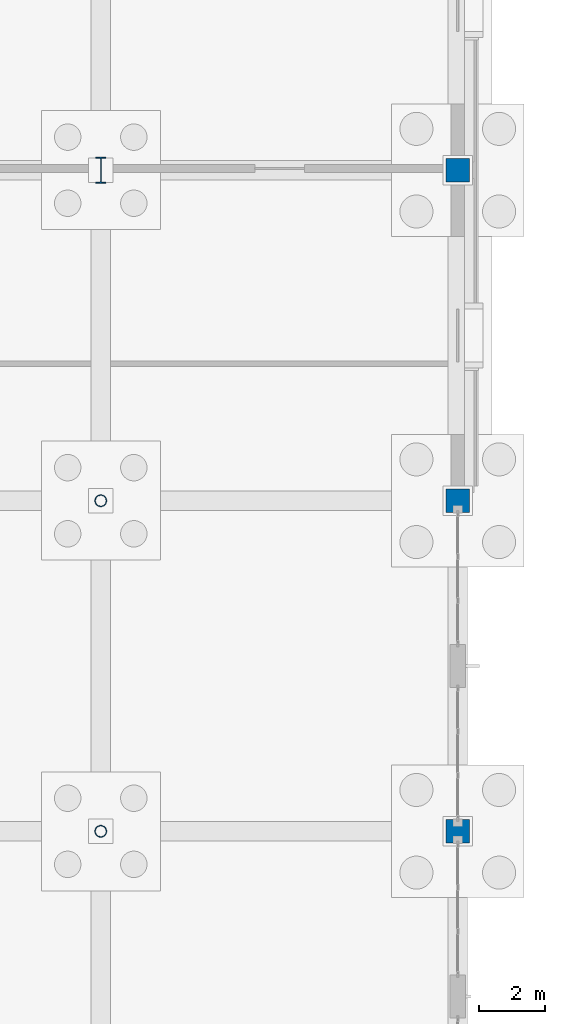
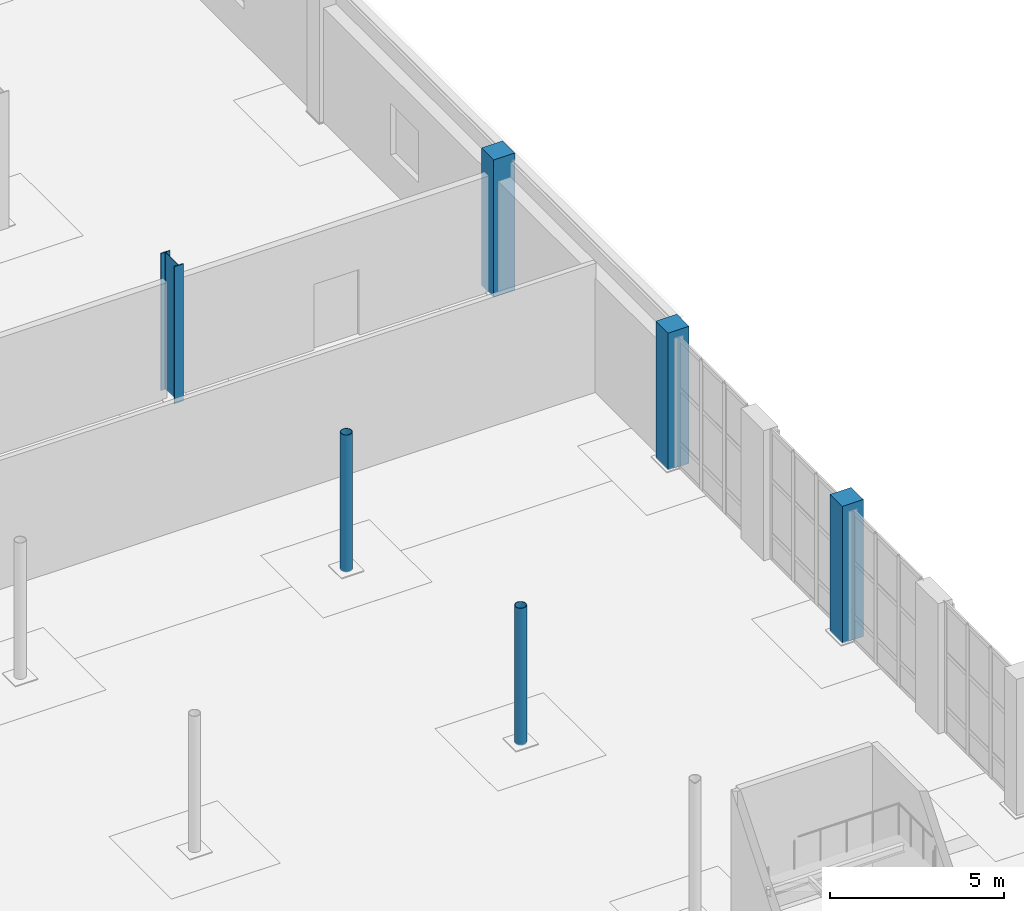
# One storey, part 19 of 73: 6 columns.
"""IFC4 building model written with IfcOpenShell, lengths in metres."""

from ifc_helpers import new_model, si_unit, direction, frame, origin, origin_2d, place, context, subcontext, project, spatial, rectangle, hollow_circle, i_section, extrude, material, material_profile, profile_set, type_object, element, save


model = new_model("IFC4")

# Units and contexts
model_context = context("Model", 3, precision=1e-05, world=origin(), true_north=direction((0.0, 1.0)))
body_context = subcontext(model_context, "Body", "Model", "MODEL_VIEW")
ifc_project = project(units=[si_unit("LENGTHUNIT", "METRE"), si_unit("AREAUNIT", "SQUARE_METRE"), si_unit("VOLUMEUNIT", "CUBIC_METRE"), si_unit("PLANEANGLEUNIT", "RADIAN"), si_unit("MASSUNIT", "GRAM", prefix="KILO")], contexts=[model_context])

# Site, building, storey
site_placement = place(None, origin())
site = spatial("IfcSite", under=ifc_project, at=site_placement, CompositionType="ELEMENT")
building_placement = place(site_placement, origin())
building = spatial("IfcBuilding", under=site, at=building_placement, Name="Tasgan Crest Museum", CompositionType="ELEMENT")
storey_placement = place(building_placement, origin())
storey = spatial("IfcBuildingStorey", under=building, at=storey_placement, Name="L00", CompositionType="ELEMENT", Elevation=0.0)

# Columns
ifc_material_1 = material(Name="Steel S355K2", Category="steel")
ifc_material_profile_1 = material_profile(ifc_material_1, hollow_circle(Radius=0.177734375, WallThickness=0.01611328125, at=origin_2d()), Name="CHS 355.6x16")
ifc_profile_set_1 = profile_set([ifc_material_profile_1], Name="Steel S355K2")
column_type_1 = type_object("IfcColumnType", Name="COL-CHS355", PredefinedType="COLUMN", material=ifc_profile_set_1)
for number, where, z_axis, x_axis, name in (
    (1, (97.199951171875, 72.0, 0.0), (0.0, 0.0, 1.0), (1.0, 0.0, 0.0), "Column 10/H L00"),
    (2, (97.199951171875, 82.0, 0.0), (0.0, 0.0, 1.0), (1.0, 0.0, 0.0), "Column 10/J L00"),
):
    element("IfcColumn", number, at=place(storey_placement, frame(where, z_axis=z_axis, x_axis=x_axis)), inside=storey, type_object=column_type_1, Name=name, PredefinedType="COLUMN", context=body_context, shape_type="SweptSolid", body=[
        extrude(hollow_circle(Radius=0.177734375, WallThickness=0.01611328125, at=origin_2d()), origin(), (0.0, 0.0, 1.0), 4.800048828125),
    ])
ifc_material_2 = material(Name="Steel S355K2", Category="steel")
ifc_material_profile_2 = material_profile(ifc_material_2, i_section(OverallWidth=0.300048828125, OverallDepth=0.7900390625, WebThickness=0.014892578125, FlangeThickness=0.028076171875, FilletRadius=0.030029296875, at=origin_2d()), Name="HEA 800")
ifc_profile_set_2 = profile_set([ifc_material_profile_2], Name="Steel S355K2")
column_type_2 = type_object("IfcColumnType", Name="COL-HEA800", PredefinedType="COLUMN", material=ifc_profile_set_2)
column_placement = place(storey_placement, frame((97.199951171875, 92.0, 0.0), z_axis=(0.0, 0.0, 1.0), x_axis=(1.0, 0.0, 0.0)))
element("IfcColumn", 3, at=column_placement, inside=storey, type_object=column_type_2, Name="Column 10/K L00", PredefinedType="COLUMN", context=body_context, shape_type="SweptSolid", body=[
    extrude(i_section(OverallWidth=0.300048828125, OverallDepth=0.7900390625, WebThickness=0.014892578125, FlangeThickness=0.028076171875, FilletRadius=0.030029296875, at=origin_2d()), origin(), (0.0, 0.0, 1.0), 4.800048828125),
])
ifc_material_3 = material(Name="Concrete C40/50", Category="concrete")
ifc_material_profile_3 = material_profile(ifc_material_3, rectangle(XDim=0.699951171875, YDim=0.699951171875, at=origin_2d()), Name="RC 700x700")
ifc_profile_set_3 = profile_set([ifc_material_profile_3], Name="Concrete C40/50")
column_type_3 = type_object("IfcColumnType", Name="COL-RC700", PredefinedType="COLUMN", material=ifc_profile_set_3)
for number, where, z_axis, x_axis, name in (
    (4, (108.0, 72.0, 0.0), (0.0, 0.0, 1.0), (1.0, 0.0, 0.0), "Column 11/H L00"),
    (5, (108.0, 82.0, 0.0), (0.0, 0.0, 1.0), (1.0, 0.0, 0.0), "Column 11/J L00"),
    (6, (108.0, 92.0, 0.0), (0.0, 0.0, 1.0), (1.0, 0.0, 0.0), "Column 11/K L00"),
):
    element("IfcColumn", number, at=place(storey_placement, frame(where, z_axis=z_axis, x_axis=x_axis)), inside=storey, type_object=column_type_3, Name=name, PredefinedType="COLUMN", context=body_context, shape_type="SweptSolid", body=[
        extrude(rectangle(XDim=0.699951171875, YDim=0.699951171875, at=origin_2d()), origin(), (0.0, 0.0, 1.0), 4.800048828125),
    ])

save(model, "model.ifc")
